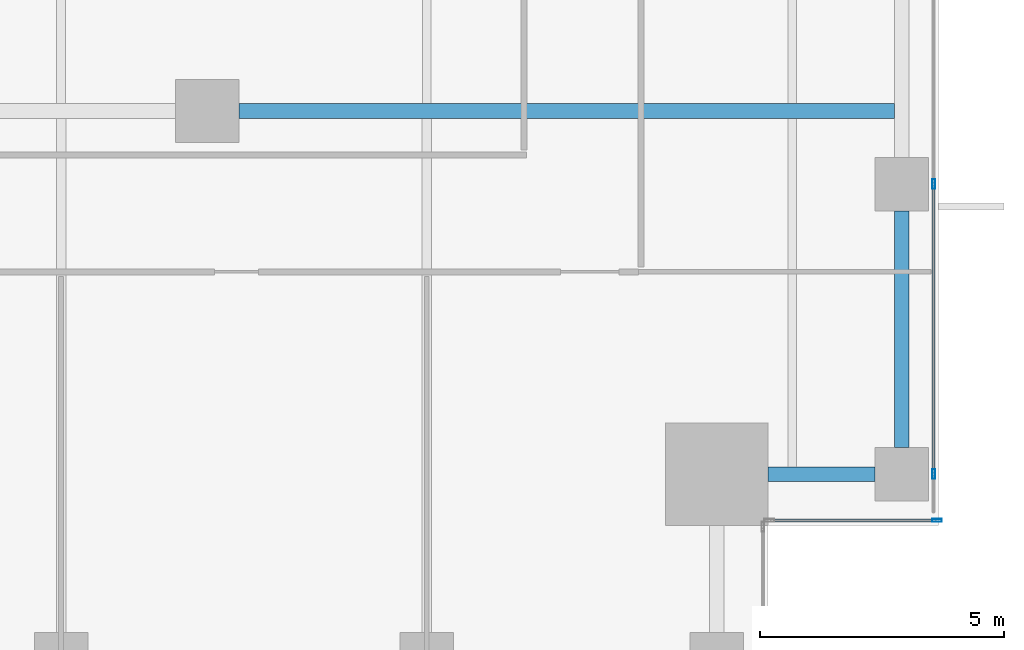
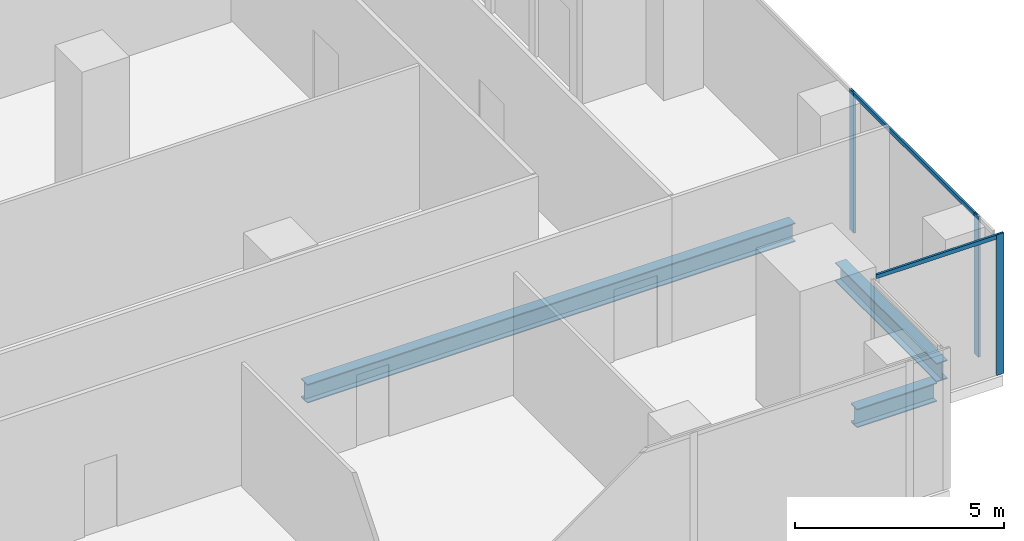
# One storey, part 11 of 34: 5 members, 3 beams, 2 elements without a shape of their own.
"""IFC4 building model written with IfcOpenShell, lengths in metres."""

from ifc_helpers import new_model, si_unit, direction, frame, origin, origin_2d, place, context, subcontext, project, spatial, hollow_rectangle, i_section, extrude, source, transform, mapped, material, material_profile, profile_set, type_object, element, aggregate, save


model = new_model("IFC4")

# Units and contexts
model_context = context("Model", 3, precision=1e-05, world=origin(), true_north=direction((0.0, 1.0)))
body_context = subcontext(model_context, "Body", "Model", "MODEL_VIEW")
ifc_project = project(units=[si_unit("LENGTHUNIT", "METRE"), si_unit("AREAUNIT", "SQUARE_METRE"), si_unit("VOLUMEUNIT", "CUBIC_METRE"), si_unit("PLANEANGLEUNIT", "RADIAN"), si_unit("MASSUNIT", "GRAM", prefix="KILO")], contexts=[model_context])

# Site, building, storey
site_placement = place(None, origin())
site = spatial("IfcSite", under=ifc_project, at=site_placement, CompositionType="ELEMENT")
building_placement = place(site_placement, origin())
building = spatial("IfcBuilding", under=site, at=building_placement, Name="Khomas Fold Tower", CompositionType="ELEMENT")
storey_placement = place(building_placement, frame((0.0, 0.0, 110.300048828125)))
storey = spatial("IfcBuildingStorey", under=building, at=storey_placement, Name="L23", CompositionType="ELEMENT", Elevation=110.300048828125)

# Beams
ifc_material_1 = material(Name="Steel S355", Category="steel")
ifc_material_profile_1 = material_profile(ifc_material_1, i_section(OverallWidth=0.300048828125, OverallDepth=0.550048828125, WebThickness=0.014892578125, FlangeThickness=0.029052734375, at=origin_2d()), Name="HE 550 B")
ifc_profile_set_1 = profile_set([ifc_material_profile_1], Name="Steel S355")
beam_type_1 = type_object("IfcBeamType", Name="HE 550 B spandrel SB2", PredefinedType="SPANDREL", material=ifc_profile_set_1)
shared_shape_1 = source(origin(), body_context, "Body", "SweptSolid", [
    extrude(i_section(OverallWidth=0.300048828125, OverallDepth=0.550048828125, WebThickness=0.014892578125, FlangeThickness=0.029052734375, at=origin_2d()), origin(), (0.0, 0.0, 1.0), 4.849853515625),
])
beam_1_placement = place(storey_placement, frame((51.75, 6.60009765625, -0.574951171875), z_axis=(0.0, 1.0, 0.0), x_axis=(-1.0, 0.0, 0.0)))
element("IfcBeam", 1, at=beam_1_placement, inside=storey, type_object=beam_type_1, Name="SB2", PredefinedType="SPANDREL", context=body_context, shape_type="MappedRepresentation", body=[
    mapped(shared_shape_1, transform((0.0, 0.0, 0.0))),
])
shared_shape_2 = source(origin(), body_context, "Body", "SweptSolid", [
    extrude(i_section(OverallWidth=0.300048828125, OverallDepth=0.550048828125, WebThickness=0.014892578125, FlangeThickness=0.029052734375, at=origin_2d()), origin(), (0.0, 0.0, 1.0), 2.199951171875),
])
beam_2_placement = place(storey_placement, frame((49.0, 6.050048828125, -0.574951171875), z_axis=(1.0, 0.0, 0.0), x_axis=(0.0, 1.0, 0.0)))
element("IfcBeam", 2, at=beam_2_placement, inside=storey, type_object=beam_type_1, Name="SB2", PredefinedType="SPANDREL", context=body_context, shape_type="MappedRepresentation", body=[
    mapped(shared_shape_2, transform((0.0, 0.0, 0.0))),
])
ifc_material_2 = material(Name="Steel S355", Category="steel")
ifc_material_profile_2 = material_profile(ifc_material_2, i_section(OverallWidth=0.300048828125, OverallDepth=0.550048828125, WebThickness=0.014892578125, FlangeThickness=0.029052734375, at=origin_2d()), Name="HE 550 B")
ifc_profile_set_2 = profile_set([ifc_material_profile_2], Name="Steel S355")
beam_type_2 = type_object("IfcBeamType", Name="HE 550 B beam GB4", PredefinedType="BEAM", material=ifc_profile_set_2)
shared_shape_3 = source(origin(), body_context, "Body", "SweptSolid", [
    extrude(i_section(OverallWidth=0.300048828125, OverallDepth=0.550048828125, WebThickness=0.014892578125, FlangeThickness=0.029052734375, at=origin_2d()), origin(), (0.0, 0.0, 1.0), 13.4501953125),
])
beam_3_placement = place(storey_placement, frame((38.14990234375, 13.5, -0.574951171875), z_axis=(1.0, 0.0, 0.0), x_axis=(0.0, 1.0, 0.0)))
element("IfcBeam", 3, at=beam_3_placement, inside=storey, type_object=beam_type_2, Name="GB4", PredefinedType="BEAM", context=body_context, shape_type="MappedRepresentation", body=[
    mapped(shared_shape_3, transform((0.0, 0.0, 0.0))),
])

# Curtain wall, member
ifc_material_3 = material(Name="Aluminium framed double glazing", Category="aluminium")
curtain_wall_type = type_object("IfcCurtainWallType", Name="SK-Unitised clear-glass wall, growing floors CW1", PredefinedType="NOTDEFINED", material=ifc_material_3)
curtain_wall_1_placement = place(storey_placement, origin())
curtain_wall_1 = element("IfcCurtainWall", 4, at=curtain_wall_1_placement, inside=storey, type_object=curtain_wall_type, Name="CW1 run L23 03-0", PredefinedType="NOTDEFINED")
ifc_material_4 = material(Name="Aluminium", Category="aluminium")
ifc_material_profile_3 = material_profile(ifc_material_4, hollow_rectangle(XDim=0.06005859375, YDim=0.1201171875, WallThickness=0.00390625, at=origin_2d()), Name="SK-Unitised clear-glass wall, growing floors transom CW1-T")
ifc_profile_set_3 = profile_set([ifc_material_profile_3], Name="Aluminium")
member_type_1 = type_object("IfcMemberType", Name="SK-Unitised clear-glass wall, growing floors transom CW1-T", PredefinedType="USERDEFINED", material=ifc_profile_set_3)
shared_shape_4 = source(origin(), body_context, "Body", "SweptSolid", [
    extrude(hollow_rectangle(XDim=0.06005859375, YDim=0.1201171875, WallThickness=0.00390625, at=origin_2d()), origin(), (0.0, 0.0, 1.0), 5.889892578125),
])
member_1_placement = place(storey_placement, frame((52.39990234375, 6.080078125, 4.0400390625), z_axis=(0.0, 1.0, 0.0), x_axis=(-1.0, 0.0, 0.0)))
member_1 = element("IfcMember", 5, at=member_1_placement, type_object=member_type_1, Name="CW1 transom 2", ObjectType="TRANSOM", PredefinedType="USERDEFINED", context=body_context, shape_type="MappedRepresentation", body=[
    mapped(shared_shape_4, transform((0.0, 0.0, 0.0))),
])

# Curtain wall, members
curtain_wall_2_placement = place(storey_placement, origin())
curtain_wall_2 = element("IfcCurtainWall", 6, at=curtain_wall_2_placement, inside=storey, type_object=curtain_wall_type, Name="CW1 corner return L23 02", PredefinedType="NOTDEFINED")
shared_shape_5 = source(origin(), body_context, "Body", "SweptSolid", [
    extrude(hollow_rectangle(XDim=0.06005859375, YDim=0.1201171875, WallThickness=0.00390625, at=origin_2d()), origin(), (0.0, 0.0, 1.0), 3.3798828125),
])
member_2_placement = place(storey_placement, frame((49.06005859375, 5.10009765625, 4.0400390625), z_axis=(1.0, 0.0, 0.0), x_axis=(0.0, 1.0, 0.0)))
member_2 = element("IfcMember", 7, at=member_2_placement, type_object=member_type_1, Name="CW1 transom 1", ObjectType="TRANSOM", PredefinedType="USERDEFINED", context=body_context, shape_type="MappedRepresentation", body=[
    mapped(shared_shape_5, transform((0.0, 0.0, 0.0))),
])
ifc_material_5 = material(Name="Aluminium", Category="aluminium")
ifc_material_profile_4 = material_profile(ifc_material_5, hollow_rectangle(XDim=0.06005859375, YDim=0.199951171875, WallThickness=0.00390625, at=origin_2d()), Name="SK-Unitised clear-glass wall, growing floors mullion CW1-M")
ifc_profile_set_4 = profile_set([ifc_material_profile_4], Name="Aluminium")
member_type_2 = type_object("IfcMemberType", Name="SK-Unitised clear-glass wall, growing floors mullion CW1-M", PredefinedType="MULLION", material=ifc_profile_set_4)
shared_shape_6 = source(origin(), body_context, "Body", "SweptSolid", [
    extrude(hollow_rectangle(XDim=0.06005859375, YDim=0.199951171875, WallThickness=0.00390625, at=origin_2d()), origin(), (0.0, 0.0, 1.0), 4.099853515625),
])
member_3_placement = place(storey_placement, frame((52.469970703125, 5.10009765625, 0.0), z_axis=(0.0, 0.0, 1.0), x_axis=(0.0, 1.0, 0.0)))
member_3 = element("IfcMember", 8, at=member_3_placement, type_object=member_type_2, Name="CW1 mullion 2", PredefinedType="MULLION", context=body_context, shape_type="MappedRepresentation", body=[
    mapped(shared_shape_6, transform((0.0, 0.0, 0.0))),
])
aggregate(curtain_wall_2, [member_3, member_2])

# Member
member_4_placement = place(storey_placement, frame((52.39990234375, 6.050048828125, 0.0), z_axis=(0.0, 0.0, 1.0), x_axis=(-1.0, 0.0, 0.0)))
member_4 = element("IfcMember", 9, at=member_4_placement, type_object=member_type_2, Name="CW1 mullion 2", PredefinedType="MULLION", context=body_context, shape_type="MappedRepresentation", body=[
    mapped(shared_shape_6, transform((0.0, 0.0, 0.0))),
])

member_5_placement = place(storey_placement, frame((52.39990234375, 12.0, 0.0), z_axis=(0.0, 0.0, 1.0), x_axis=(-1.0, 0.0, 0.0)))
member_5 = element("IfcMember", 10, at=member_5_placement, type_object=member_type_2, Name="CW1 mullion 3", PredefinedType="MULLION", context=body_context, shape_type="MappedRepresentation", body=[
    mapped(shared_shape_6, transform((0.0, 0.0, 0.0))),
])

aggregate(curtain_wall_1, [member_4, member_5, member_1])

save(model, "model.ifc")
